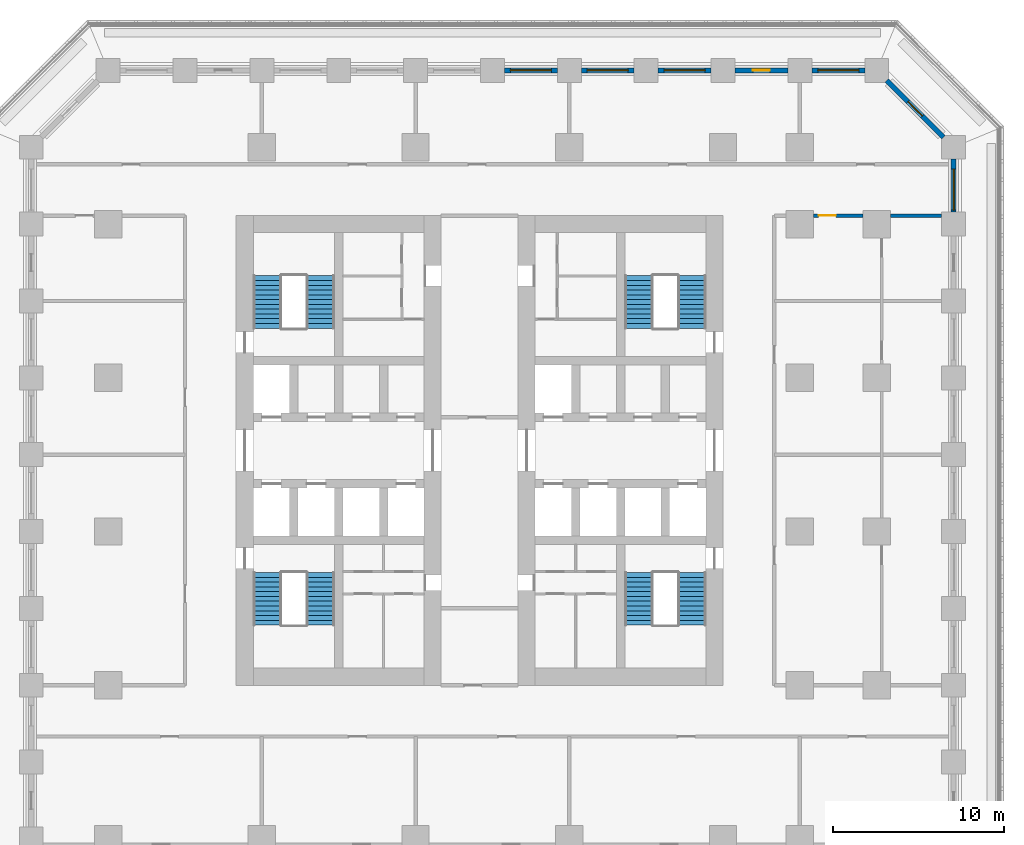
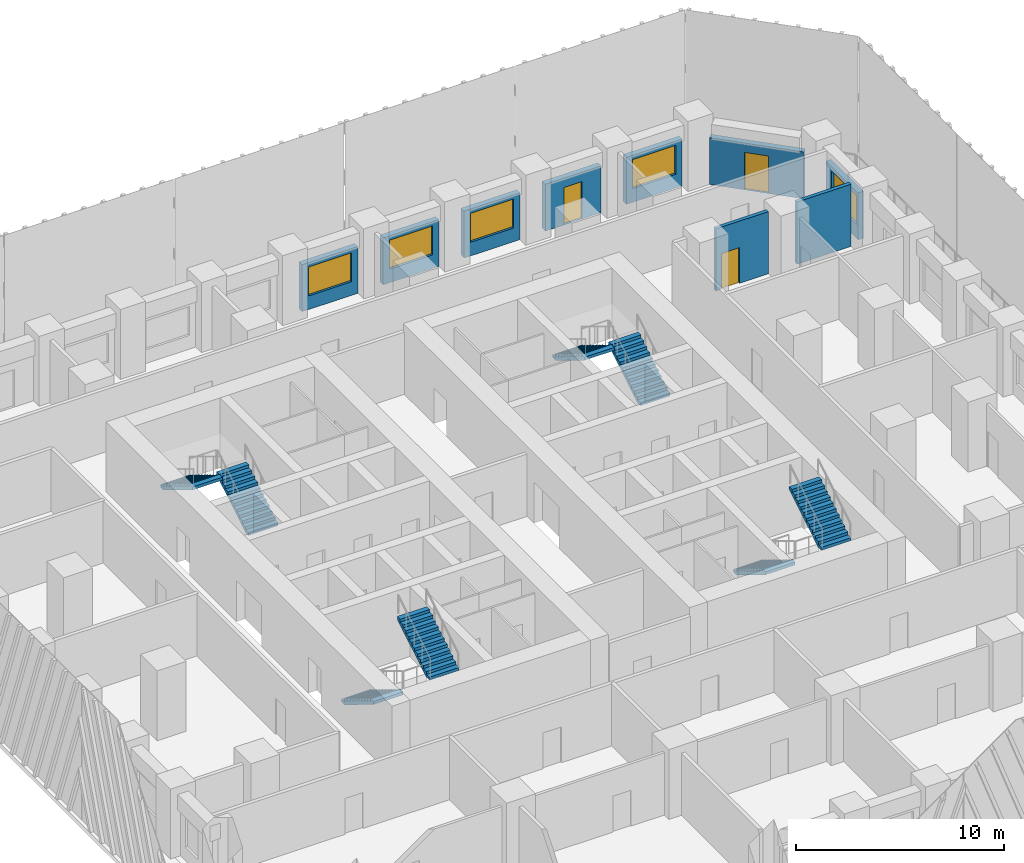
# One storey, part 8 of 14: 9 walls, 8 stair flights, 5 windows, 3 doors, 8 openings, 4 elements without a shape of their own.
"""IFC4 building model written with IfcOpenShell, lengths in metres."""

from ifc_helpers import new_model, si_unit, direction, frame, frame_2d, origin, place, context, subcontext, project, spatial, polyline, rectangle, outline, extrude, material, layer, layer_set, type_object, element, fill, aggregate, save


model = new_model("IFC4")

# Units and contexts
model_context = context("Model", 3, precision=1e-05, world=origin(), true_north=direction((0.0, 1.0)))
body_context = subcontext(model_context, "Body", "Model", "MODEL_VIEW")
ifc_project = project(units=[si_unit("LENGTHUNIT", "METRE"), si_unit("AREAUNIT", "SQUARE_METRE"), si_unit("VOLUMEUNIT", "CUBIC_METRE"), si_unit("PLANEANGLEUNIT", "RADIAN"), si_unit("MASSUNIT", "GRAM", prefix="KILO")], contexts=[model_context])

# Site, building, storey
site_placement = place(None, origin())
site = spatial("IfcSite", under=ifc_project, at=site_placement, CompositionType="ELEMENT")
building_placement = place(site_placement, origin())
building = spatial("IfcBuilding", under=site, at=building_placement, Name="Corbel Stack Research Tower", CompositionType="ELEMENT")
storey_placement = place(building_placement, frame((0.0, 0.0, 58.300048828125)))
storey = spatial("IfcBuildingStorey", under=building, at=storey_placement, Name="L13", CompositionType="ELEMENT", Elevation=58.300048828125)

# Wall, opening, door
ifc_material_1 = material(Name="Fire-rated gypsum board partition on steel studs", Category="steel")
ifc_layer_1 = layer(ifc_material_1, 0.199951171875)
ifc_layer_set_1 = layer_set([ifc_layer_1], Name="Fire-rated gypsum board partition on steel studs")
wall_type_1 = type_object("IfcWallType", Name="Fire-rated partition 200 EI 60", PredefinedType="PARTITIONING", material=ifc_layer_set_1)
wall_1_placement = place(storey_placement, frame((26.199951171875, 18.5, 0.0), z_axis=(0.0, 0.0, 1.0), x_axis=(-1.0, 0.0, 0.0)))
wall_1 = element("IfcWall", 1, at=wall_1_placement, inside=storey, type_object=wall_type_1, Name="Partition L13-043", PredefinedType="PARTITIONING", context=body_context, shape_type="SweptSolid", body=[
    extrude(rectangle(XDim=2.89990234375, YDim=0.199951171875, at=frame_2d((1.449951171875, 0.0))), origin(), (0.0, 0.0, 1.0), 3.64990234375),
])
opening_1_placement = place(wall_1_placement, frame((1.60009765625, 0.0, 0.0)))
opening_1 = element("IfcOpeningElement", 2, at=opening_1_placement, cuts=wall_1, Name="Opening B2V2-016", PredefinedType="OPENING", context=body_context, shape_type="SweptSolid", body=[
    extrude(rectangle(XDim=1.0, YDim=2.10009765625, at=frame_2d((0.5, 1.050048828125))), frame((0.0, 0.10986328125, 0.0), z_axis=(0.0, -1.0, 0.0), x_axis=(1.0, 0.0, 0.0)), (0.0, 0.0, 1.0), 0.219970703125),
])
ifc_material_2 = material(Name="Painted steel fire door", Category="steel")
door_type_1 = type_object("IfcDoorType", Name="Fire door FD30S 1000 x 2100", OperationType="NOTDEFINED", PredefinedType="DOOR", material=ifc_material_2)
door_1_placement = place(opening_1_placement, origin())
door_1 = element("IfcDoor", 3, at=door_1_placement, inside=storey, type_object=door_type_1, Name="Door B2V2-016", OperationType="SINGLE_SWING_RIGHT", OverallHeight=2.10009765625, OverallWidth=1.0, PredefinedType="DOOR", context=body_context, shape_type="SweptSolid", body=[
    extrude(rectangle(XDim=1.0, YDim=2.10009765625, at=frame_2d((0.5, 1.050048828125))), frame((0.0, 0.02490234375, 0.0), z_axis=(0.0, -1.0, 0.0), x_axis=(1.0, 0.0, 0.0)), (0.0, 0.0, 1.0), 0.050048828125),
])
fill(opening_1, door_1)

# Wall
wall_2_placement = place(storey_placement, frame((27.800048828125, 18.5, 0.0), z_axis=(0.0, 0.0, 1.0), x_axis=(1.0, 0.0, 0.0)))
element("IfcWall", 4, at=wall_2_placement, inside=storey, type_object=wall_type_1, Name="Partition L13-044", PredefinedType="PARTITIONING", context=body_context, shape_type="SweptSolid", body=[
    extrude(rectangle(XDim=3.0, YDim=0.199951171875, at=frame_2d((1.5, 0.0))), origin(), (0.0, 0.0, 1.0), 3.64990234375),
])

# Wall, opening, window
ifc_material_3 = material(Name="Concrete C45/55", Category="concrete")
ifc_layer_2 = layer(ifc_material_3, 0.300048828125)
ifc_layer_set_2 = layer_set([ifc_layer_2], Name="Concrete C45/55")
wall_type_2 = type_object("IfcWallType", Name="Terracotta-faced concrete wall 300", PredefinedType="SOLIDWALL", material=ifc_layer_set_2)
wall_3_placement = place(storey_placement, frame((31.5, 21.800048828125, 0.0), z_axis=(0.0, 0.0, 1.0), x_axis=(0.0, -1.0, 0.0)))
wall_3 = element("IfcWall", 5, at=wall_3_placement, inside=storey, type_object=wall_type_2, Name="Facade wall L13 E10", PredefinedType="SOLIDWALL", context=body_context, shape_type="SweptSolid", body=[
    extrude(rectangle(XDim=3.10009765625, YDim=0.300048828125, at=frame_2d((1.550048828125, 0.0))), origin(), (0.0, 0.0, 1.0), 2.75),
])
opening_2_placement = place(wall_3_placement, frame((0.574951171875, 0.0, 0.800048828125)))
opening_2 = element("IfcOpeningElement", 6, at=opening_2_placement, cuts=wall_3, Name="Opening W1", PredefinedType="OPENING", context=body_context, shape_type="SweptSolid", body=[
    extrude(rectangle(XDim=2.39990234375, YDim=1.699951171875, at=frame_2d((1.199951171875, 0.85009765625))), frame((0.0, 0.159912109375, 0.0), z_axis=(0.0, -1.0, 0.0), x_axis=(1.0, 0.0, 0.0)), (0.0, 0.0, 1.0), 0.320068359375),
])
ifc_material_4 = material(Name="Aluminium frame, clear double glazing", Category="aluminium")
window_type = type_object("IfcWindowType", Name="Window W1 2400 x 1700", PartitioningType="SINGLE_PANEL", PredefinedType="WINDOW", material=ifc_material_4)
window_1_placement = place(opening_2_placement, origin())
window_1 = element("IfcWindow", 7, at=window_1_placement, inside=storey, type_object=window_type, Name="Window W1 L13 E10", OverallHeight=1.699951171875, OverallWidth=2.39990234375, PartitioningType="SINGLE_PANEL", PredefinedType="WINDOW", context=body_context, shape_type="SweptSolid", body=[
    extrude(rectangle(XDim=2.39990234375, YDim=1.699951171875, at=frame_2d((1.199951171875, 0.85009765625))), frame((0.0, 0.030029296875, 0.0), z_axis=(0.0, -1.0, 0.0), x_axis=(1.0, 0.0, 0.0)), (0.0, 0.0, 1.0), 0.06005859375),
])
fill(opening_2, window_1)

# Wall, opening, door
wall_4_placement = place(storey_placement, frame((27.593994140625, 26.406005859375, 0.0), z_axis=(0.0, 0.0, 1.0), x_axis=(0.707106781187, -0.707106781187, 0.0)))
wall_4 = element("IfcWall", 8, at=wall_4_placement, inside=storey, type_object=wall_type_2, Name="Facade wall L13 NE01", PredefinedType="SOLIDWALL", context=body_context, shape_type="SweptSolid", body=[
    extrude(rectangle(XDim=4.683837890625, YDim=0.300048828125, at=frame_2d((2.341796875, 0.0))), origin(), (0.0, 0.0, 1.0), 2.75),
])
opening_3_placement = place(wall_4_placement, frame((1.741943359375, 0.0, 0.0)))
opening_3 = element("IfcOpeningElement", 9, at=opening_3_placement, cuts=wall_4, Name="Opening L13-B06", PredefinedType="OPENING", context=body_context, shape_type="SweptSolid", body=[
    extrude(rectangle(XDim=1.199951171875, YDim=2.199951171875, at=frame_2d((0.60009765625, 1.10009765625))), frame((0.0, 0.159912109375, 0.0), z_axis=(0.0, -1.0, 0.0), x_axis=(1.0, 0.0, 0.0)), (0.0, 0.0, 1.0), 0.320068359375),
])
ifc_material_5 = material(Name="Aluminium frame, clear double glazing", Category="aluminium")
door_type_2 = type_object("IfcDoorType", Name="Balcony door BD2 1200 x 2200", OperationType="NOTDEFINED", PredefinedType="DOOR", material=ifc_material_5)
door_2_placement = place(opening_3_placement, origin())
door_2 = element("IfcDoor", 10, at=door_2_placement, inside=storey, type_object=door_type_2, Name="Balcony door L13-B06", OperationType="SINGLE_SWING_RIGHT", OverallHeight=2.199951171875, OverallWidth=1.199951171875, PredefinedType="DOOR", context=body_context, shape_type="SweptSolid", body=[
    extrude(rectangle(XDim=1.199951171875, YDim=2.199951171875, at=frame_2d((0.60009765625, 1.10009765625))), frame((0.0, 0.02490234375, 0.0), z_axis=(0.0, -1.0, 0.0), x_axis=(1.0, 0.0, 0.0)), (0.0, 0.0, 1.0), 0.050048828125),
])
fill(opening_3, door_2)

# Wall, opening, window
wall_5_placement = place(storey_placement, frame((23.199951171875, 27.0, 0.0), z_axis=(0.0, 0.0, 1.0), x_axis=(1.0, 0.0, 0.0)))
wall_5 = element("IfcWall", 11, at=wall_5_placement, inside=storey, type_object=wall_type_2, Name="Facade wall L13 N01", PredefinedType="SOLIDWALL", context=body_context, shape_type="SweptSolid", body=[
    extrude(rectangle(XDim=3.10009765625, YDim=0.300048828125, at=frame_2d((1.550048828125, 0.0))), origin(), (0.0, 0.0, 1.0), 2.75),
])
opening_4_placement = place(wall_5_placement, frame((0.35009765625, 0.0, 0.800048828125)))
opening_4 = element("IfcOpeningElement", 12, at=opening_4_placement, cuts=wall_5, Name="Opening W1", PredefinedType="OPENING", context=body_context, shape_type="SweptSolid", body=[
    extrude(rectangle(XDim=2.39990234375, YDim=1.699951171875, at=frame_2d((1.199951171875, 0.85009765625))), frame((0.0, 0.159912109375, 0.0), z_axis=(0.0, -1.0, 0.0), x_axis=(1.0, 0.0, 0.0)), (0.0, 0.0, 1.0), 0.320068359375),
])
window_2_placement = place(opening_4_placement, origin())
window_2 = element("IfcWindow", 13, at=window_2_placement, inside=storey, type_object=window_type, Name="Window W1 L13 N01", OverallHeight=1.699951171875, OverallWidth=2.39990234375, PartitioningType="SINGLE_PANEL", PredefinedType="WINDOW", context=body_context, shape_type="SweptSolid", body=[
    extrude(rectangle(XDim=2.39990234375, YDim=1.699951171875, at=frame_2d((1.199951171875, 0.85009765625))), frame((0.0, 0.030029296875, 0.0), z_axis=(0.0, -1.0, 0.0), x_axis=(1.0, 0.0, 0.0)), (0.0, 0.0, 1.0), 0.06005859375),
])
fill(opening_4, window_2)

# Wall, opening, door
wall_6_placement = place(storey_placement, frame((18.699951171875, 27.0, 0.0), z_axis=(0.0, 0.0, 1.0), x_axis=(1.0, 0.0, 0.0)))
wall_6 = element("IfcWall", 14, at=wall_6_placement, inside=storey, type_object=wall_type_2, Name="Facade wall L13 N02", PredefinedType="SOLIDWALL", context=body_context, shape_type="SweptSolid", body=[
    extrude(rectangle(XDim=3.10009765625, YDim=0.300048828125, at=frame_2d((1.550048828125, 0.0))), origin(), (0.0, 0.0, 1.0), 2.75),
])
opening_5_placement = place(wall_6_placement, frame((1.050048828125, 0.0, 0.0)))
opening_5 = element("IfcOpeningElement", 15, at=opening_5_placement, cuts=wall_6, Name="Opening L13-B07", PredefinedType="OPENING", context=body_context, shape_type="SweptSolid", body=[
    extrude(rectangle(XDim=1.0, YDim=2.199951171875, at=frame_2d((0.5, 1.10009765625))), frame((0.0, 0.159912109375, 0.0), z_axis=(0.0, -1.0, 0.0), x_axis=(1.0, 0.0, 0.0)), (0.0, 0.0, 1.0), 0.320068359375),
])
ifc_material_6 = material(Name="Aluminium frame, clear double glazing", Category="aluminium")
door_type_3 = type_object("IfcDoorType", Name="Balcony door BD1 1000 x 2200", OperationType="NOTDEFINED", PredefinedType="DOOR", material=ifc_material_6)
door_3_placement = place(opening_5_placement, origin())
door_3 = element("IfcDoor", 16, at=door_3_placement, inside=storey, type_object=door_type_3, Name="Balcony door L13-B07", OperationType="SINGLE_SWING_LEFT", OverallHeight=2.199951171875, OverallWidth=1.0, PredefinedType="DOOR", context=body_context, shape_type="SweptSolid", body=[
    extrude(rectangle(XDim=1.0, YDim=2.199951171875, at=frame_2d((0.5, 1.10009765625))), frame((0.0, 0.02490234375, 0.0), z_axis=(0.0, -1.0, 0.0), x_axis=(1.0, 0.0, 0.0)), (0.0, 0.0, 1.0), 0.050048828125),
])
fill(opening_5, door_3)

# Wall, opening, window
wall_7_placement = place(storey_placement, frame((14.199951171875, 27.0, 0.0), z_axis=(0.0, 0.0, 1.0), x_axis=(1.0, 0.0, 0.0)))
wall_7 = element("IfcWall", 17, at=wall_7_placement, inside=storey, type_object=wall_type_2, Name="Facade wall L13 N03", PredefinedType="SOLIDWALL", context=body_context, shape_type="SweptSolid", body=[
    extrude(rectangle(XDim=3.10009765625, YDim=0.300048828125, at=frame_2d((1.550048828125, 0.0))), origin(), (0.0, 0.0, 1.0), 2.75),
])
opening_6_placement = place(wall_7_placement, frame((0.35009765625, 0.0, 0.800048828125)))
opening_6 = element("IfcOpeningElement", 18, at=opening_6_placement, cuts=wall_7, Name="Opening W1", PredefinedType="OPENING", context=body_context, shape_type="SweptSolid", body=[
    extrude(rectangle(XDim=2.39990234375, YDim=1.699951171875, at=frame_2d((1.199951171875, 0.85009765625))), frame((0.0, 0.159912109375, 0.0), z_axis=(0.0, -1.0, 0.0), x_axis=(1.0, 0.0, 0.0)), (0.0, 0.0, 1.0), 0.320068359375),
])
window_3_placement = place(opening_6_placement, origin())
window_3 = element("IfcWindow", 19, at=window_3_placement, inside=storey, type_object=window_type, Name="Window W1 L13 N03", OverallHeight=1.699951171875, OverallWidth=2.39990234375, PartitioningType="SINGLE_PANEL", PredefinedType="WINDOW", context=body_context, shape_type="SweptSolid", body=[
    extrude(rectangle(XDim=2.39990234375, YDim=1.699951171875, at=frame_2d((1.199951171875, 0.85009765625))), frame((0.0, 0.030029296875, 0.0), z_axis=(0.0, -1.0, 0.0), x_axis=(1.0, 0.0, 0.0)), (0.0, 0.0, 1.0), 0.06005859375),
])
fill(opening_6, window_3)

wall_8_placement = place(storey_placement, frame((9.699951171875, 27.0, 0.0), z_axis=(0.0, 0.0, 1.0), x_axis=(1.0, 0.0, 0.0)))
wall_8 = element("IfcWall", 20, at=wall_8_placement, inside=storey, type_object=wall_type_2, Name="Facade wall L13 N04", PredefinedType="SOLIDWALL", context=body_context, shape_type="SweptSolid", body=[
    extrude(rectangle(XDim=3.10009765625, YDim=0.300048828125, at=frame_2d((1.550048828125, 0.0))), origin(), (0.0, 0.0, 1.0), 2.75),
])
opening_7_placement = place(wall_8_placement, frame((0.35009765625, 0.0, 0.800048828125)))
opening_7 = element("IfcOpeningElement", 21, at=opening_7_placement, cuts=wall_8, Name="Opening W1", PredefinedType="OPENING", context=body_context, shape_type="SweptSolid", body=[
    extrude(rectangle(XDim=2.39990234375, YDim=1.699951171875, at=frame_2d((1.199951171875, 0.85009765625))), frame((0.0, 0.159912109375, 0.0), z_axis=(0.0, -1.0, 0.0), x_axis=(1.0, 0.0, 0.0)), (0.0, 0.0, 1.0), 0.320068359375),
])
window_4_placement = place(opening_7_placement, origin())
window_4 = element("IfcWindow", 22, at=window_4_placement, inside=storey, type_object=window_type, Name="Window W1 L13 N04", OverallHeight=1.699951171875, OverallWidth=2.39990234375, PartitioningType="SINGLE_PANEL", PredefinedType="WINDOW", context=body_context, shape_type="SweptSolid", body=[
    extrude(rectangle(XDim=2.39990234375, YDim=1.699951171875, at=frame_2d((1.199951171875, 0.85009765625))), frame((0.0, 0.030029296875, 0.0), z_axis=(0.0, -1.0, 0.0), x_axis=(1.0, 0.0, 0.0)), (0.0, 0.0, 1.0), 0.06005859375),
])
fill(opening_7, window_4)

wall_9_placement = place(storey_placement, frame((5.199951171875, 27.0, 0.0), z_axis=(0.0, 0.0, 1.0), x_axis=(1.0, 0.0, 0.0)))
wall_9 = element("IfcWall", 23, at=wall_9_placement, inside=storey, type_object=wall_type_2, Name="Facade wall L13 N05", PredefinedType="SOLIDWALL", context=body_context, shape_type="SweptSolid", body=[
    extrude(rectangle(XDim=3.10009765625, YDim=0.300048828125, at=frame_2d((1.550048828125, 0.0))), origin(), (0.0, 0.0, 1.0), 2.75),
])
opening_8_placement = place(wall_9_placement, frame((0.35009765625, 0.0, 0.800048828125)))
opening_8 = element("IfcOpeningElement", 24, at=opening_8_placement, cuts=wall_9, Name="Opening W1", PredefinedType="OPENING", context=body_context, shape_type="SweptSolid", body=[
    extrude(rectangle(XDim=2.39990234375, YDim=1.699951171875, at=frame_2d((1.199951171875, 0.85009765625))), frame((0.0, 0.159912109375, 0.0), z_axis=(0.0, -1.0, 0.0), x_axis=(1.0, 0.0, 0.0)), (0.0, 0.0, 1.0), 0.320068359375),
])
window_5_placement = place(opening_8_placement, origin())
window_5 = element("IfcWindow", 25, at=window_5_placement, inside=storey, type_object=window_type, Name="Window W1 L13 N05", OverallHeight=1.699951171875, OverallWidth=2.39990234375, PartitioningType="SINGLE_PANEL", PredefinedType="WINDOW", context=body_context, shape_type="SweptSolid", body=[
    extrude(rectangle(XDim=2.39990234375, YDim=1.699951171875, at=frame_2d((1.199951171875, 0.85009765625))), frame((0.0, 0.030029296875, 0.0), z_axis=(0.0, -1.0, 0.0), x_axis=(1.0, 0.0, 0.0)), (0.0, 0.0, 1.0), 0.06005859375),
])
fill(opening_8, window_5)

# Stair, stair flights
ifc_material_7 = material(Name="Concrete C40/50", Category="concrete")
stair_type = type_object("IfcStairType", Name="Exit stair 24 risers", PredefinedType="HALF_TURN_STAIR", material=ifc_material_7)
stair_1_placement = place(storey_placement, origin())
stair_1 = element("IfcStair", 26, at=stair_1_placement, inside=storey, type_object=stair_type, Name="L13 Exit stair ST-W1", PredefinedType="HALF_TURN_STAIR")
ifc_material_8 = material(Name="Concrete C40/50", Category="concrete")
stair_flight_type = type_object("IfcStairFlightType", Name="Stair flight 12 risers", PredefinedType="STRAIGHT", material=ifc_material_8)
stair_flight_1_placement = place(storey_placement, frame((-8.675048828125, -2.39990234375, 0.0), z_axis=(0.0, 0.0, 1.0), x_axis=(0.0, -1.0, 0.0)))
stair_flight_1 = element("IfcStairFlight", 27, at=stair_flight_1_placement, type_object=stair_flight_type, Name="ST-W1 flight 1", NumberOfRisers=12, NumberOfTreads=11, PredefinedType="STRAIGHT", RiserHeight=0.170833333, TreadLength=0.28, context=body_context, shape_type="SweptSolid", body=[
    extrude(outline(polyline([(0.0, 0.0), (0.0, 0.1708984375), (0.280029296875, 0.1708984375), (0.280029296875, 0.341552734375), (0.56005859375, 0.341552734375), (0.56005859375, 0.512451171875), (0.840087890625, 0.512451171875), (0.840087890625, 0.683349609375), (1.1201171875, 0.683349609375), (1.1201171875, 0.854248046875), (1.39990234375, 0.854248046875), (1.39990234375, 1.02490234375), (1.679931640625, 1.02490234375), (1.679931640625, 1.19580078125), (1.9599609375, 1.19580078125), (1.9599609375, 1.36669921875), (2.239990234375, 1.36669921875), (2.239990234375, 1.53759765625), (2.52001953125, 1.53759765625), (2.52001953125, 1.708251953125), (2.800048828125, 1.708251953125), (2.800048828125, 1.879150390625), (3.080078125, 1.879150390625), (3.080078125, 2.050048828125), (3.080078125, 1.70361328125), (0.287841796875, 0.0), (0.0, 0.0)])), frame((0.0, 0.824951171875, 0.0), z_axis=(0.0, -1.0, 0.0), x_axis=(1.0, 0.0, 0.0)), (0.0, 0.0, 1.0), 1.64990234375),
])
stair_flight_2_placement = place(storey_placement, frame((-5.574951171875, -5.47998046875, 2.050048828125), z_axis=(0.0, 0.0, 1.0), x_axis=(0.0, 1.0, 0.0)))
stair_flight_2 = element("IfcStairFlight", 28, at=stair_flight_2_placement, type_object=stair_flight_type, Name="ST-W1 flight 2", NumberOfRisers=12, NumberOfTreads=11, PredefinedType="STRAIGHT", RiserHeight=0.170833333, TreadLength=0.28, context=body_context, shape_type="SweptSolid", body=[
    extrude(outline(polyline([(0.0, 0.0), (0.0, 0.1708984375), (0.280029296875, 0.1708984375), (0.280029296875, 0.341552734375), (0.56005859375, 0.341552734375), (0.56005859375, 0.512451171875), (0.840087890625, 0.512451171875), (0.840087890625, 0.683349609375), (1.1201171875, 0.683349609375), (1.1201171875, 0.854248046875), (1.39990234375, 0.854248046875), (1.39990234375, 1.02490234375), (1.679931640625, 1.02490234375), (1.679931640625, 1.19580078125), (1.9599609375, 1.19580078125), (1.9599609375, 1.36669921875), (2.239990234375, 1.36669921875), (2.239990234375, 1.53759765625), (2.52001953125, 1.53759765625), (2.52001953125, 1.708251953125), (2.800048828125, 1.708251953125), (2.800048828125, 1.879150390625), (3.080078125, 1.879150390625), (3.080078125, 2.050048828125), (3.080078125, 1.70361328125), (0.287841796875, 0.0), (0.0, 0.0)])), frame((0.0, 0.824951171875, 0.0), z_axis=(0.0, -1.0, 0.0), x_axis=(1.0, 0.0, 0.0)), (0.0, 0.0, 1.0), 1.64990234375),
])
aggregate(stair_1, [stair_flight_1, stair_flight_2])

stair_2_placement = place(storey_placement, origin())
stair_2 = element("IfcStair", 29, at=stair_2_placement, inside=storey, type_object=stair_type, Name="L13 Exit stair ST-W2", PredefinedType="HALF_TURN_STAIR")
stair_flight_3_placement = place(storey_placement, frame((-5.574951171875, 11.89990234375, 0.0), z_axis=(0.0, 0.0, 1.0), x_axis=(0.0, 1.0, 0.0)))
stair_flight_3 = element("IfcStairFlight", 30, at=stair_flight_3_placement, type_object=stair_flight_type, Name="ST-W2 flight 1", NumberOfRisers=12, NumberOfTreads=11, PredefinedType="STRAIGHT", RiserHeight=0.170833333, TreadLength=0.28, context=body_context, shape_type="SweptSolid", body=[
    extrude(outline(polyline([(0.0, 0.0), (0.0, 0.1708984375), (0.280029296875, 0.1708984375), (0.280029296875, 0.341552734375), (0.56005859375, 0.341552734375), (0.56005859375, 0.512451171875), (0.840087890625, 0.512451171875), (0.840087890625, 0.683349609375), (1.1201171875, 0.683349609375), (1.1201171875, 0.854248046875), (1.39990234375, 0.854248046875), (1.39990234375, 1.02490234375), (1.679931640625, 1.02490234375), (1.679931640625, 1.19580078125), (1.9599609375, 1.19580078125), (1.9599609375, 1.36669921875), (2.239990234375, 1.36669921875), (2.239990234375, 1.53759765625), (2.52001953125, 1.53759765625), (2.52001953125, 1.708251953125), (2.800048828125, 1.708251953125), (2.800048828125, 1.879150390625), (3.080078125, 1.879150390625), (3.080078125, 2.050048828125), (3.080078125, 1.70361328125), (0.287841796875, 0.0), (0.0, 0.0)])), frame((0.0, 0.824951171875, 0.0), z_axis=(0.0, -1.0, 0.0), x_axis=(1.0, 0.0, 0.0)), (0.0, 0.0, 1.0), 1.64990234375),
])
stair_flight_4_placement = place(storey_placement, frame((-8.675048828125, 14.97998046875, 2.050048828125), z_axis=(0.0, 0.0, 1.0), x_axis=(0.0, -1.0, 0.0)))
stair_flight_4 = element("IfcStairFlight", 31, at=stair_flight_4_placement, type_object=stair_flight_type, Name="ST-W2 flight 2", NumberOfRisers=12, NumberOfTreads=11, PredefinedType="STRAIGHT", RiserHeight=0.170833333, TreadLength=0.28, context=body_context, shape_type="SweptSolid", body=[
    extrude(outline(polyline([(0.0, 0.0), (0.0, 0.1708984375), (0.280029296875, 0.1708984375), (0.280029296875, 0.341552734375), (0.56005859375, 0.341552734375), (0.56005859375, 0.512451171875), (0.840087890625, 0.512451171875), (0.840087890625, 0.683349609375), (1.1201171875, 0.683349609375), (1.1201171875, 0.854248046875), (1.39990234375, 0.854248046875), (1.39990234375, 1.02490234375), (1.679931640625, 1.02490234375), (1.679931640625, 1.19580078125), (1.9599609375, 1.19580078125), (1.9599609375, 1.36669921875), (2.239990234375, 1.36669921875), (2.239990234375, 1.53759765625), (2.52001953125, 1.53759765625), (2.52001953125, 1.708251953125), (2.800048828125, 1.708251953125), (2.800048828125, 1.879150390625), (3.080078125, 1.879150390625), (3.080078125, 2.050048828125), (3.080078125, 1.70361328125), (0.287841796875, 0.0), (0.0, 0.0)])), frame((0.0, 0.824951171875, 0.0), z_axis=(0.0, -1.0, 0.0), x_axis=(1.0, 0.0, 0.0)), (0.0, 0.0, 1.0), 1.64990234375),
])
aggregate(stair_2, [stair_flight_3, stair_flight_4])

stair_3_placement = place(storey_placement, origin())
stair_3 = element("IfcStair", 32, at=stair_3_placement, inside=storey, type_object=stair_type, Name="L13 Exit stair ST-E1", PredefinedType="HALF_TURN_STAIR")
stair_flight_5_placement = place(storey_placement, frame((13.074951171875, -2.39990234375, 0.0), z_axis=(0.0, 0.0, 1.0), x_axis=(0.0, -1.0, 0.0)))
stair_flight_5 = element("IfcStairFlight", 33, at=stair_flight_5_placement, type_object=stair_flight_type, Name="ST-E1 flight 1", NumberOfRisers=12, NumberOfTreads=11, PredefinedType="STRAIGHT", RiserHeight=0.170833333, TreadLength=0.28, context=body_context, shape_type="SweptSolid", body=[
    extrude(outline(polyline([(0.0, 0.0), (0.0, 0.1708984375), (0.280029296875, 0.1708984375), (0.280029296875, 0.341552734375), (0.56005859375, 0.341552734375), (0.56005859375, 0.512451171875), (0.840087890625, 0.512451171875), (0.840087890625, 0.683349609375), (1.1201171875, 0.683349609375), (1.1201171875, 0.854248046875), (1.39990234375, 0.854248046875), (1.39990234375, 1.02490234375), (1.679931640625, 1.02490234375), (1.679931640625, 1.19580078125), (1.9599609375, 1.19580078125), (1.9599609375, 1.36669921875), (2.239990234375, 1.36669921875), (2.239990234375, 1.53759765625), (2.52001953125, 1.53759765625), (2.52001953125, 1.708251953125), (2.800048828125, 1.708251953125), (2.800048828125, 1.879150390625), (3.080078125, 1.879150390625), (3.080078125, 2.050048828125), (3.080078125, 1.70361328125), (0.287841796875, 0.0), (0.0, 0.0)])), frame((0.0, 0.824951171875, 0.0), z_axis=(0.0, -1.0, 0.0), x_axis=(1.0, 0.0, 0.0)), (0.0, 0.0, 1.0), 1.64990234375),
])
stair_flight_6_placement = place(storey_placement, frame((16.175048828125, -5.47998046875, 2.050048828125), z_axis=(0.0, 0.0, 1.0), x_axis=(0.0, 1.0, 0.0)))
stair_flight_6 = element("IfcStairFlight", 34, at=stair_flight_6_placement, type_object=stair_flight_type, Name="ST-E1 flight 2", NumberOfRisers=12, NumberOfTreads=11, PredefinedType="STRAIGHT", RiserHeight=0.170833333, TreadLength=0.28, context=body_context, shape_type="SweptSolid", body=[
    extrude(outline(polyline([(0.0, 0.0), (0.0, 0.1708984375), (0.280029296875, 0.1708984375), (0.280029296875, 0.341552734375), (0.56005859375, 0.341552734375), (0.56005859375, 0.512451171875), (0.840087890625, 0.512451171875), (0.840087890625, 0.683349609375), (1.1201171875, 0.683349609375), (1.1201171875, 0.854248046875), (1.39990234375, 0.854248046875), (1.39990234375, 1.02490234375), (1.679931640625, 1.02490234375), (1.679931640625, 1.19580078125), (1.9599609375, 1.19580078125), (1.9599609375, 1.36669921875), (2.239990234375, 1.36669921875), (2.239990234375, 1.53759765625), (2.52001953125, 1.53759765625), (2.52001953125, 1.708251953125), (2.800048828125, 1.708251953125), (2.800048828125, 1.879150390625), (3.080078125, 1.879150390625), (3.080078125, 2.050048828125), (3.080078125, 1.70361328125), (0.287841796875, 0.0), (0.0, 0.0)])), frame((0.0, 0.824951171875, 0.0), z_axis=(0.0, -1.0, 0.0), x_axis=(1.0, 0.0, 0.0)), (0.0, 0.0, 1.0), 1.64990234375),
])
aggregate(stair_3, [stair_flight_5, stair_flight_6])

stair_4_placement = place(storey_placement, origin())
stair_4 = element("IfcStair", 35, at=stair_4_placement, inside=storey, type_object=stair_type, Name="L13 Exit stair ST-E2", PredefinedType="HALF_TURN_STAIR")
stair_flight_7_placement = place(storey_placement, frame((16.175048828125, 11.89990234375, 0.0), z_axis=(0.0, 0.0, 1.0), x_axis=(0.0, 1.0, 0.0)))
stair_flight_7 = element("IfcStairFlight", 36, at=stair_flight_7_placement, type_object=stair_flight_type, Name="ST-E2 flight 1", NumberOfRisers=12, NumberOfTreads=11, PredefinedType="STRAIGHT", RiserHeight=0.170833333, TreadLength=0.28, context=body_context, shape_type="SweptSolid", body=[
    extrude(outline(polyline([(0.0, 0.0), (0.0, 0.1708984375), (0.280029296875, 0.1708984375), (0.280029296875, 0.341552734375), (0.56005859375, 0.341552734375), (0.56005859375, 0.512451171875), (0.840087890625, 0.512451171875), (0.840087890625, 0.683349609375), (1.1201171875, 0.683349609375), (1.1201171875, 0.854248046875), (1.39990234375, 0.854248046875), (1.39990234375, 1.02490234375), (1.679931640625, 1.02490234375), (1.679931640625, 1.19580078125), (1.9599609375, 1.19580078125), (1.9599609375, 1.36669921875), (2.239990234375, 1.36669921875), (2.239990234375, 1.53759765625), (2.52001953125, 1.53759765625), (2.52001953125, 1.708251953125), (2.800048828125, 1.708251953125), (2.800048828125, 1.879150390625), (3.080078125, 1.879150390625), (3.080078125, 2.050048828125), (3.080078125, 1.70361328125), (0.287841796875, 0.0), (0.0, 0.0)])), frame((0.0, 0.824951171875, 0.0), z_axis=(0.0, -1.0, 0.0), x_axis=(1.0, 0.0, 0.0)), (0.0, 0.0, 1.0), 1.64990234375),
])
stair_flight_8_placement = place(storey_placement, frame((13.074951171875, 14.97998046875, 2.050048828125), z_axis=(0.0, 0.0, 1.0), x_axis=(0.0, -1.0, 0.0)))
stair_flight_8 = element("IfcStairFlight", 37, at=stair_flight_8_placement, type_object=stair_flight_type, Name="ST-E2 flight 2", NumberOfRisers=12, NumberOfTreads=11, PredefinedType="STRAIGHT", RiserHeight=0.170833333, TreadLength=0.28, context=body_context, shape_type="SweptSolid", body=[
    extrude(outline(polyline([(0.0, 0.0), (0.0, 0.1708984375), (0.280029296875, 0.1708984375), (0.280029296875, 0.341552734375), (0.56005859375, 0.341552734375), (0.56005859375, 0.512451171875), (0.840087890625, 0.512451171875), (0.840087890625, 0.683349609375), (1.1201171875, 0.683349609375), (1.1201171875, 0.854248046875), (1.39990234375, 0.854248046875), (1.39990234375, 1.02490234375), (1.679931640625, 1.02490234375), (1.679931640625, 1.19580078125), (1.9599609375, 1.19580078125), (1.9599609375, 1.36669921875), (2.239990234375, 1.36669921875), (2.239990234375, 1.53759765625), (2.52001953125, 1.53759765625), (2.52001953125, 1.708251953125), (2.800048828125, 1.708251953125), (2.800048828125, 1.879150390625), (3.080078125, 1.879150390625), (3.080078125, 2.050048828125), (3.080078125, 1.70361328125), (0.287841796875, 0.0), (0.0, 0.0)])), frame((0.0, 0.824951171875, 0.0), z_axis=(0.0, -1.0, 0.0), x_axis=(1.0, 0.0, 0.0)), (0.0, 0.0, 1.0), 1.64990234375),
])
aggregate(stair_4, [stair_flight_7, stair_flight_8])

save(model, "model.ifc")
